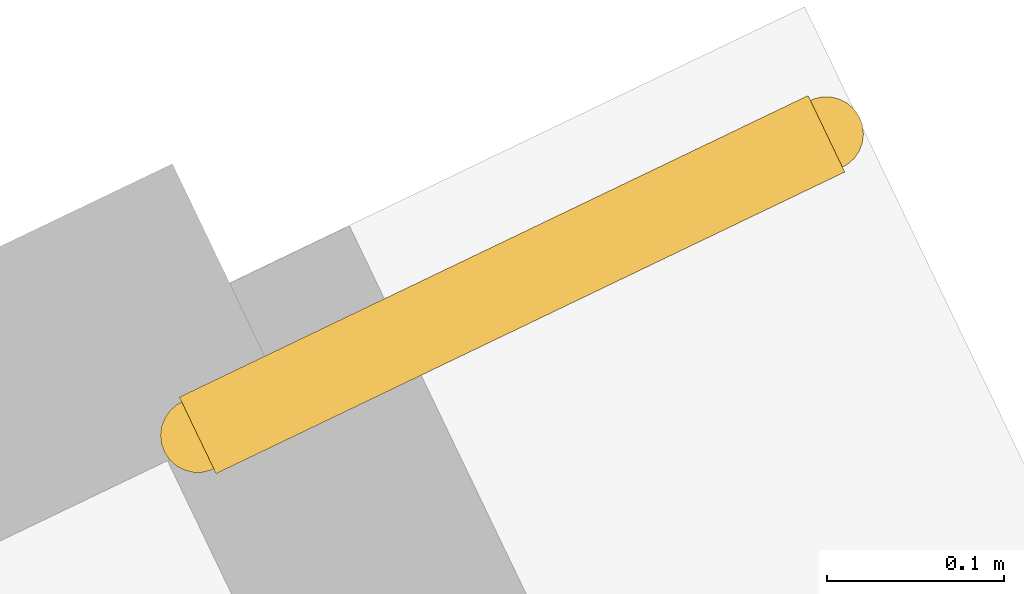
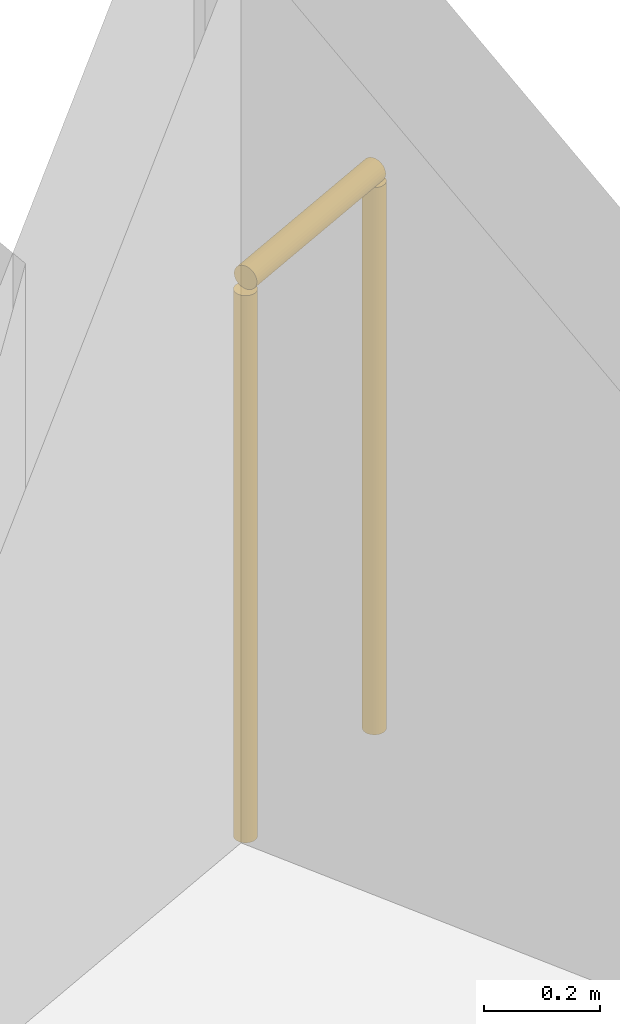
# One storey, part 16 of 16: 1 railing.
"""IFC4 building model written with IfcOpenShell, lengths in metres."""

from ifc_helpers import new_model, si_unit, direction, frame, origin, origin_2d, place, context, subcontext, project, spatial, circle, extrude, material, layer, layer_set, type_object, element, save


model = new_model("IFC4")

# Units and contexts
model_context = context("Model", 3, precision=1e-05, world=origin(), true_north=direction((0.0, 1.0)))
body_context = subcontext(model_context, "Body", "Model", "MODEL_VIEW")
ifc_project = project(units=[si_unit("LENGTHUNIT", "METRE"), si_unit("AREAUNIT", "SQUARE_METRE"), si_unit("VOLUMEUNIT", "CUBIC_METRE"), si_unit("PLANEANGLEUNIT", "RADIAN"), si_unit("MASSUNIT", "GRAM", prefix="KILO")], contexts=[model_context])

# Site, building, storey
site_placement = place(None, origin())
site = spatial("IfcSite", under=ifc_project, at=site_placement, CompositionType="ELEMENT")
building_placement = place(site_placement, origin())
building = spatial("IfcBuilding", under=site, at=building_placement, Name="Gaonmaruhae Medical Tower", CompositionType="ELEMENT")
storey_placement = place(building_placement, frame((0.0, 0.0, 132.39990234375)))
storey = spatial("IfcBuildingStorey", under=building, at=storey_placement, Name="L31", CompositionType="ELEMENT", Elevation=132.39990234375)

# Railing
ifc_material = material(Name="Stainless steel 316L and laminated safety glass", Category="steel")
ifc_layer = layer(ifc_material, 0.080078125)
ifc_layer_set = layer_set([ifc_layer], Name="Stainless steel 316L and laminated safety glass")
railing_type = type_object("IfcRailingType", Name="GD-120 Outdoor Terrace Safety Glass & Steel Balustrade", PredefinedType="BALUSTRADE", material=ifc_layer_set)
railing_placement = place(storey_placement, frame((55.1669921875, 32.52734375, 0.0)))
element("IfcRailing", 1, at=railing_placement, inside=storey, type_object=railing_type, Name="L31 Perimeter Slab Edge Safety Balustrade 01", PredefinedType="BALUSTRADE", context=body_context, shape_type="SweptSolid", body=[
    extrude(circle(Radius=0.02392578125, at=origin_2d()), frame((0.0, 0.0, 1.17578125), z_axis=(0.901629544996, 0.432509148563, 0.0), x_axis=(-0.432509148563, 0.901629544996, 0.0)), (0.0, 0.0, 1.0), 0.3935546875),
    extrude(circle(Radius=0.02099609375, at=origin_2d()), origin(), (0.0, 0.0, 1.0), 1.15185546875),
    extrude(circle(Radius=0.02099609375, at=origin_2d()), frame((0.354736328125, 0.170166015625, 0.0)), (0.0, 0.0, 1.0), 1.15185546875),
])

save(model, "model.ifc")
